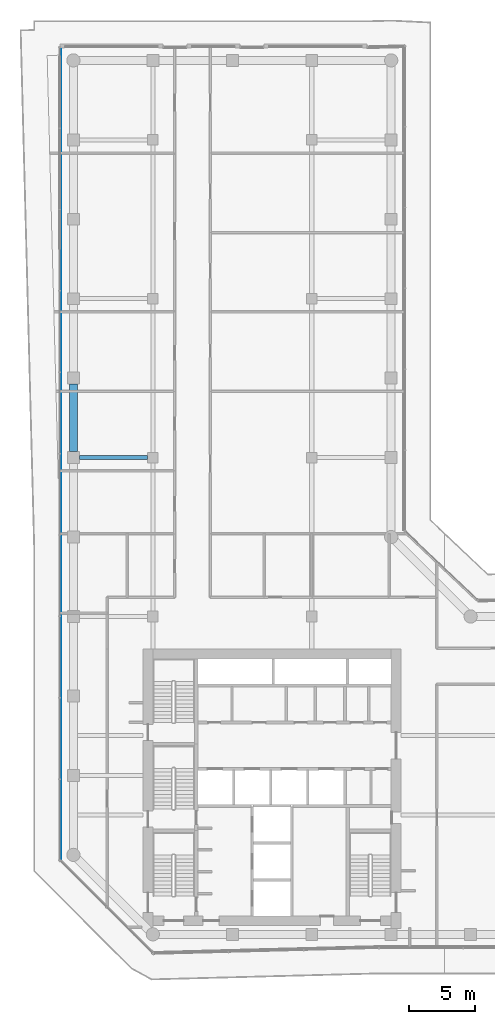
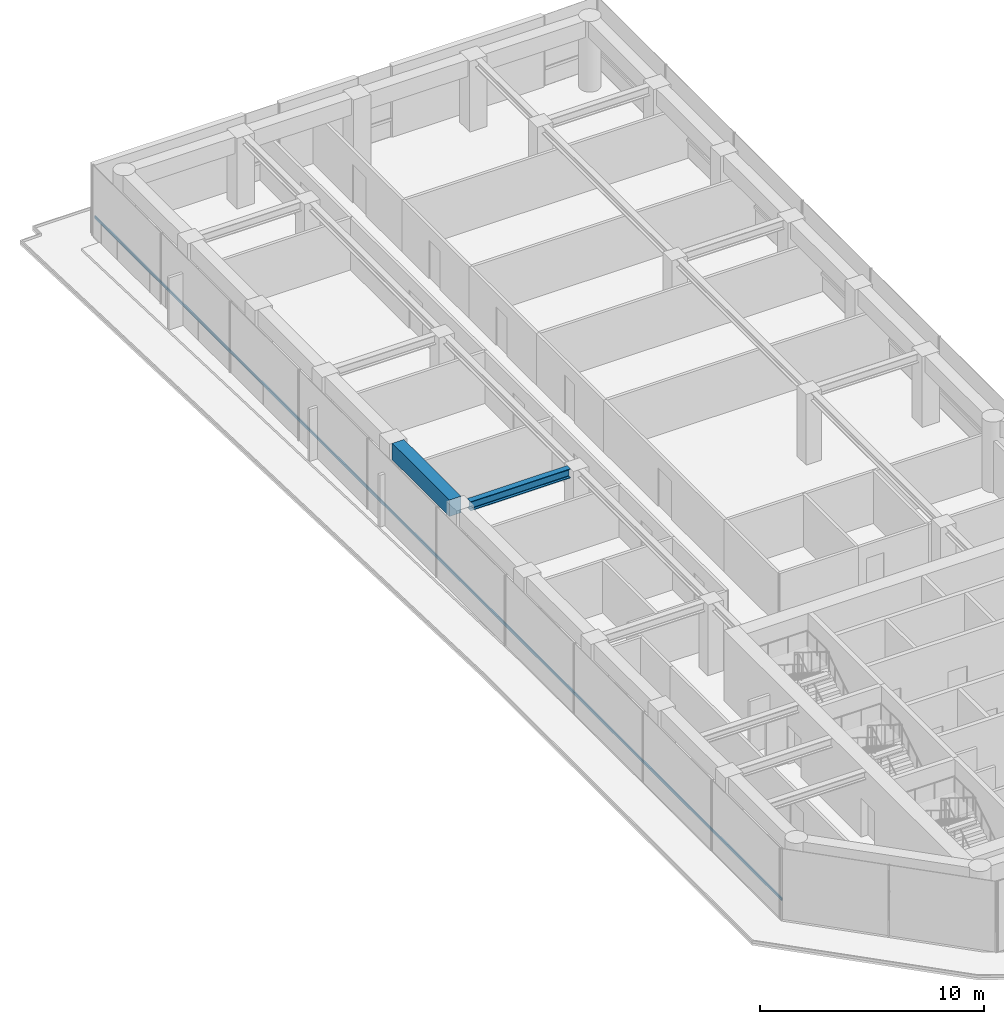
# One storey, part 10 of 23: 2 beams, 1 member, 1 element without a shape of its own.
"""IFC4 building model written with IfcOpenShell, lengths in metres."""

import ifcopenshell
import ifcopenshell.guid

model = None  # the IFC model being written
_history = None  # IfcOwnerHistory: only IFC2X3 demands one
_inside = {}  # id of a spatial element -> (the spatial element, [elements in it])
_under = {}  # id of a project, library or spatial element -> (it, [spatial elements below it])
_declared = {}  # id of a project -> (the project, [libraries it declares])
_typed = {}  # id of a type object -> (the type object, [elements of that type])
_made_of = {}  # id of a material, layer set ... -> (it, [elements and type objects made of it])


def new_model(schema):
    """Start an empty IFC model of exactly this schema.

    Asked for "IFC4X3", IfcOpenShell would pick the latest addendum, in which some entities
    have other attributes; the version numbers below select the first issue.
    IFC2X3 requires an IfcOwnerHistory on every rooted entity: one is made here for all.
    """
    global model, _history
    if schema == "IFC4X3":
        model = ifcopenshell.file(schema_version=(4, 3, 0, 0))
    else:
        model = ifcopenshell.file(schema=schema)
    _inside.clear()
    _under.clear()
    _declared.clear()
    _typed.clear()
    _made_of.clear()
    _history = None
    if model.schema == "IFC2X3":
        org = make("IfcOrganization", Name="unknown")
        user = make(
            "IfcPersonAndOrganization",
            ThePerson=make("IfcPerson", FamilyName="unknown"),
            TheOrganization=org,
        )
        app = make(
            "IfcApplication",
            ApplicationDeveloper=org,
            Version="unknown",
            ApplicationFullName="unknown",
            ApplicationIdentifier="unknown",
        )
        _history = make(
            "IfcOwnerHistory",
            OwningUser=user,
            OwningApplication=app,
            ChangeAction="ADDED",
            CreationDate=0,
        )
    return model


def make(cls, **values):
    """One entity of the class cls with the attributes given. An attribute that is None is left unset."""
    return model.create_entity(
        cls, **{name: value for name, value in values.items() if value is not None}
    )


def rooted(cls, **values):
    """An entity with a GlobalId (a new one), such as an element, a storey or a relation."""
    return make(cls, GlobalId=ifcopenshell.guid.new(), OwnerHistory=_history, **values)


def si_unit(unit_type, name, prefix=None):
    """IfcSIUnit, for example si_unit("LENGTHUNIT", "METRE", prefix="MILLI")."""
    return make("IfcSIUnit", UnitType=unit_type, Prefix=prefix, Name=name)


def assignment(units):
    """IfcUnitAssignment: the units of a project."""
    return None if units is None else make("IfcUnitAssignment", Units=units)


def point(xyz):
    """IfcCartesianPoint."""
    return None if xyz is None else make("IfcCartesianPoint", Coordinates=xyz)


def direction(xyz):
    """IfcDirection."""
    return None if xyz is None else make("IfcDirection", DirectionRatios=xyz)


def frame(location, z_axis=None, x_axis=None):
    """IfcAxis2Placement3D, a coordinate frame: its origin and axes. An axis left out is left unset."""
    return make(
        "IfcAxis2Placement3D",
        Location=point(location),
        Axis=direction(z_axis),
        RefDirection=direction(x_axis),
    )


def frame_2d(location, x_axis=None):
    """IfcAxis2Placement2D, a coordinate frame in the plane: its origin and x axis."""
    return make(
        "IfcAxis2Placement2D", Location=point(location), RefDirection=direction(x_axis)
    )


def origin():
    """The frame at (0, 0, 0) with its axes left unset."""
    return frame((0.0, 0.0, 0.0))


def origin_2d():
    """The frame at (0, 0) in the plane with its x axis left unset."""
    return frame_2d((0.0, 0.0))


def place(relative_to, where):
    """IfcLocalPlacement: puts the frame where relative to a parent placement (None: the world)."""
    return make(
        "IfcLocalPlacement", PlacementRelTo=relative_to, RelativePlacement=where
    )


def context(
    kind, dimensions, precision=None, world=None, true_north=None, identifier=None
):
    """IfcGeometricRepresentationContext, for example the 3D "Model" context."""
    return make(
        "IfcGeometricRepresentationContext",
        ContextIdentifier=identifier,
        ContextType=kind,
        CoordinateSpaceDimension=dimensions,
        Precision=precision,
        WorldCoordinateSystem=world,
        TrueNorth=true_north,
    )


def subcontext(parent, identifier, kind, view, scale=None):
    """IfcGeometricRepresentationSubContext, for example "Body" below "Model"."""
    return make(
        "IfcGeometricRepresentationSubContext",
        ContextIdentifier=identifier,
        ContextType=kind,
        ParentContext=parent,
        TargetScale=scale,
        TargetView=view,
    )


def project(units=None, contexts=None):
    """IfcProject with its units and contexts."""
    return rooted(
        "IfcProject",
        Name="project",
        RepresentationContexts=contexts,
        UnitsInContext=assignment(units),
    )


def spatial(cls, under=None, at=None, **own):
    """A site, building, storey or space (cls), placed at a placement, below another one or the project."""
    s = rooted(cls, ObjectPlacement=at, **own)
    if under is not None:
        _under.setdefault(under.id(), (under, []))[1].append(s)
    return s


def profile(cls, at=None, kind="AREA", **sizes):
    """A parametric profile (cls). Its sizes go by their IFC names, for example OverallWidth=200.0."""
    return make(cls, ProfileType=kind, Position=at, **sizes)


def rectangle(**sizes):
    """IfcRectangleProfileDef."""
    return profile("IfcRectangleProfileDef", **sizes)


def i_section(**sizes):
    """IfcIShapeProfileDef."""
    return profile("IfcIShapeProfileDef", **sizes)


def extrude(swept, where, along, depth):
    """IfcExtrudedAreaSolid: the profile swept, set in the frame where, extruded along a direction by depth."""
    return make(
        "IfcExtrudedAreaSolid",
        SweptArea=swept,
        Position=where,
        ExtrudedDirection=direction(along),
        Depth=depth,
    )


def shape(context_of_items, identifier, shape_type, items):
    """IfcShapeRepresentation: the items that make up one representation, for example the "Body"."""
    return make(
        "IfcShapeRepresentation",
        ContextOfItems=context_of_items,
        RepresentationIdentifier=identifier,
        RepresentationType=shape_type,
        Items=items,
    )


def material(Name=None, Category=None):
    """IfcMaterial."""
    return make("IfcMaterial", Name=Name, Category=Category)


def layer(
    of_material, thickness, ventilated=None, Name=None, Category=None, Priority=None
):
    """IfcMaterialLayer: one layer of a wall or slab, of a material (None: an air gap)."""
    return make(
        "IfcMaterialLayer",
        Material=of_material,
        LayerThickness=thickness,
        IsVentilated=ventilated,
        Name=Name,
        Category=Category,
        Priority=Priority,
    )


def layer_set(layers, Name=None):
    """IfcMaterialLayerSet."""
    return make("IfcMaterialLayerSet", MaterialLayers=layers, LayerSetName=Name)


def material_profile(
    of_material, cross_section, Name=None, Category=None, Priority=None
):
    """IfcMaterialProfile: a cross section and its material."""
    return make(
        "IfcMaterialProfile",
        Name=Name,
        Material=of_material,
        Profile=cross_section,
        Priority=Priority,
        Category=Category,
    )


def profile_set(profiles, Name=None, composite=None):
    """IfcMaterialProfileSet."""
    return make(
        "IfcMaterialProfileSet",
        Name=Name,
        MaterialProfiles=profiles,
        CompositeProfile=composite,
    )


def made_of(thing, what):
    """Note that an element or type object is made of a material, layer set ...; save() writes the relation."""
    if what is not None:
        _made_of.setdefault(what.id(), (what, []))[1].append(thing)
    return thing


def type_object(cls, material=None, **own):
    """A type object (cls), such as IfcWallType, which elements share."""
    return made_of(rooted(cls, **own), material)


def element(
    cls,
    number,
    at=None,
    inside=None,
    cuts=None,
    type_object=None,
    material=None,
    context=None,
    identifier="Body",
    shape_type=None,
    held_by="IfcProductDefinitionShape",
    body=None,
    shapes=None,
    **own,
):
    """One element of the class cls, such as IfcWall. Its Tag is "e" and its number.

    at: its placement. inside: the storey or other place that contains it. cuts: it is an
    opening in that element (IfcRelVoidsElement). A single representation is given by context,
    identifier, shape_type and body (its items); several are given by shapes. held_by: the class
    of the entity that holds the representations. save() writes the other relations.
    """
    e = rooted(cls, Tag="e%d" % number, ObjectPlacement=at, **own)
    if body is not None:
        shapes = [shape(context, identifier, shape_type, body)]
    if shapes is not None:
        e.Representation = make(held_by, Representations=shapes)
    if inside is not None:
        _inside.setdefault(inside.id(), (inside, []))[1].append(e)
    if cuts is not None:
        rooted(
            "IfcRelVoidsElement", RelatingBuildingElement=cuts, RelatedOpeningElement=e
        )
    if type_object is not None:
        _typed.setdefault(type_object.id(), (type_object, []))[1].append(e)
    return made_of(e, material)


def aggregate(whole, parts):
    """IfcRelAggregates: a whole, such as a stair, and the parts it consists of."""
    return rooted("IfcRelAggregates", RelatingObject=whole, RelatedObjects=parts)


def save(model, path):
    """Write the relations noted so far, then the file.

    IfcRelAggregates (storeys below a building ...), IfcRelContainedInSpatialStructure (elements
    in a storey), IfcRelDefinesByType, IfcRelAssociatesMaterial and IfcRelDeclares: one each for
    every whole, place, type object, material and project.
    """
    for whole, parts in _under.values():
        aggregate(whole, parts)
    for where, things in _inside.values():
        rooted(
            "IfcRelContainedInSpatialStructure",
            RelatedElements=things,
            RelatingStructure=where,
        )
    for kind, things in _typed.values():
        rooted("IfcRelDefinesByType", RelatedObjects=things, RelatingType=kind)
    for what, things in _made_of.values():
        rooted("IfcRelAssociatesMaterial", RelatedObjects=things, RelatingMaterial=what)
    for by, libraries in _declared.values():
        rooted("IfcRelDeclares", RelatingContext=by, RelatedDefinitions=libraries)
    model.write(path)


model = new_model("IFC4")

# Units and contexts
model_context = context("Model", 3, precision=1e-05, world=origin(), true_north=direction((0.0, 1.0)))
body_context = subcontext(model_context, "Body", "Model", "MODEL_VIEW")
ifc_project = project(units=[si_unit("LENGTHUNIT", "METRE"), si_unit("AREAUNIT", "SQUARE_METRE"), si_unit("VOLUMEUNIT", "CUBIC_METRE"), si_unit("PLANEANGLEUNIT", "RADIAN"), si_unit("MASSUNIT", "GRAM", prefix="KILO")], contexts=[model_context])

# Site, building, storey
site_placement = place(None, origin())
site = spatial("IfcSite", under=ifc_project, at=site_placement, CompositionType="ELEMENT")
building_placement = place(site_placement, origin())
building = spatial("IfcBuilding", under=site, at=building_placement, Name="Welwitschia Terrace Campus", CompositionType="ELEMENT")
storey_placement = place(building_placement, frame((0.0, 0.0, 104.60009765625)))
storey = spatial("IfcBuildingStorey", under=building, at=storey_placement, Name="L23", CompositionType="ELEMENT", Elevation=104.60009765625)

# Beams
ifc_material_1 = material(Name="Steel S355", Category="steel")
ifc_material_profile_1 = material_profile(ifc_material_1, i_section(OverallWidth=0.300048828125, OverallDepth=0.5, WebThickness=0.014404296875, FlangeThickness=0.028076171875, FilletRadius=0.027099609375, at=origin_2d()))
ifc_profile_set_1 = profile_set([ifc_material_profile_1], Name="Steel S355")
beam_type_1 = type_object("IfcBeamType", Name="Primary beam HE 500 B", PredefinedType="BEAM", material=ifc_profile_set_1)
beam_1_placement = place(storey_placement, frame((0.450439453125, 40.0, 3.599853515625), z_axis=(1.0, 0.0, 0.0), x_axis=(0.0, 1.0, 0.0)))
element("IfcBeam", 1, at=beam_1_placement, inside=storey, type_object=beam_type_1, Name="Primary beam PB3", PredefinedType="BEAM", context=body_context, shape_type="SweptSolid", body=[
    extrude(i_section(OverallWidth=0.300048828125, OverallDepth=0.5, WebThickness=0.014404296875, FlangeThickness=0.028076171875, FilletRadius=0.027099609375, at=origin_2d()), origin(), (0.0, 0.0, 1.0), 5.149169921875),
])
ifc_material_2 = material(Name="Concrete C60/75", Category="concrete")
ifc_material_profile_2 = material_profile(ifc_material_2, rectangle(XDim=0.60009765625, YDim=0.89990234375, at=origin_2d()))
ifc_profile_set_2 = profile_set([ifc_material_profile_2], Name="Concrete C60/75")
beam_type_2 = type_object("IfcBeamType", Name="Ring spandrel 600x900", PredefinedType="SPANDREL", material=ifc_profile_set_2)
beam_2_placement = place(storey_placement, frame((0.0, 45.549560546875, 3.39990234375), z_axis=(0.0, -1.0, 0.0), x_axis=(1.0, 0.0, 0.0)))
element("IfcBeam", 2, at=beam_2_placement, inside=storey, type_object=beam_type_2, Name="Spandrel SP2", PredefinedType="SPANDREL", context=body_context, shape_type="SweptSolid", body=[
    extrude(rectangle(XDim=0.60009765625, YDim=0.89990234375, at=origin_2d()), origin(), (0.0, 0.0, 1.0), 5.09912109375),
])

# Curtain wall, member
ifc_material_3 = material(Name="Bronze anodised aluminium", Category="aluminium")
ifc_layer = layer(ifc_material_3, 0.1201171875)
ifc_layer_set = layer_set([ifc_layer], Name="Bronze anodised aluminium")
curtain_wall_type = type_object("IfcCurtainWallType", Name="Curtain wall CW2 tower 6000", PredefinedType="NOTDEFINED", material=ifc_layer_set)
curtain_wall_placement = place(storey_placement, origin())
curtain_wall = element("IfcCurtainWall", 3, at=curtain_wall_placement, inside=storey, type_object=curtain_wall_type, Name="CW L23.12.0", PredefinedType="NOTDEFINED")
ifc_material_4 = material(Name="Bronze anodised aluminium", Category="aluminium")
ifc_material_profile_3 = material_profile(ifc_material_4, rectangle(XDim=0.06005859375, YDim=0.14990234375, at=origin_2d()))
ifc_profile_set_3 = profile_set([ifc_material_profile_3], Name="Bronze anodised aluminium")
member_type = type_object("IfcMemberType", Name="Transom 60x150", PredefinedType="USERDEFINED", material=ifc_profile_set_3)
member_placement = place(storey_placement, frame((-0.93994140625, 70.969970703125, 1.0), z_axis=(0.0, -1.0, 0.0), x_axis=(1.0, 0.0, 0.0)))
member = element("IfcMember", 4, at=member_placement, type_object=member_type, Name="Transom L23.12.0", ObjectType="TRANSOM", PredefinedType="USERDEFINED", context=body_context, shape_type="SweptSolid", body=[
    extrude(rectangle(XDim=0.06005859375, YDim=0.14990234375, at=origin_2d()), origin(), (0.0, 0.0, 1.0), 61.336669921875),
])
aggregate(curtain_wall, [member])

save(model, "model.ifc")
